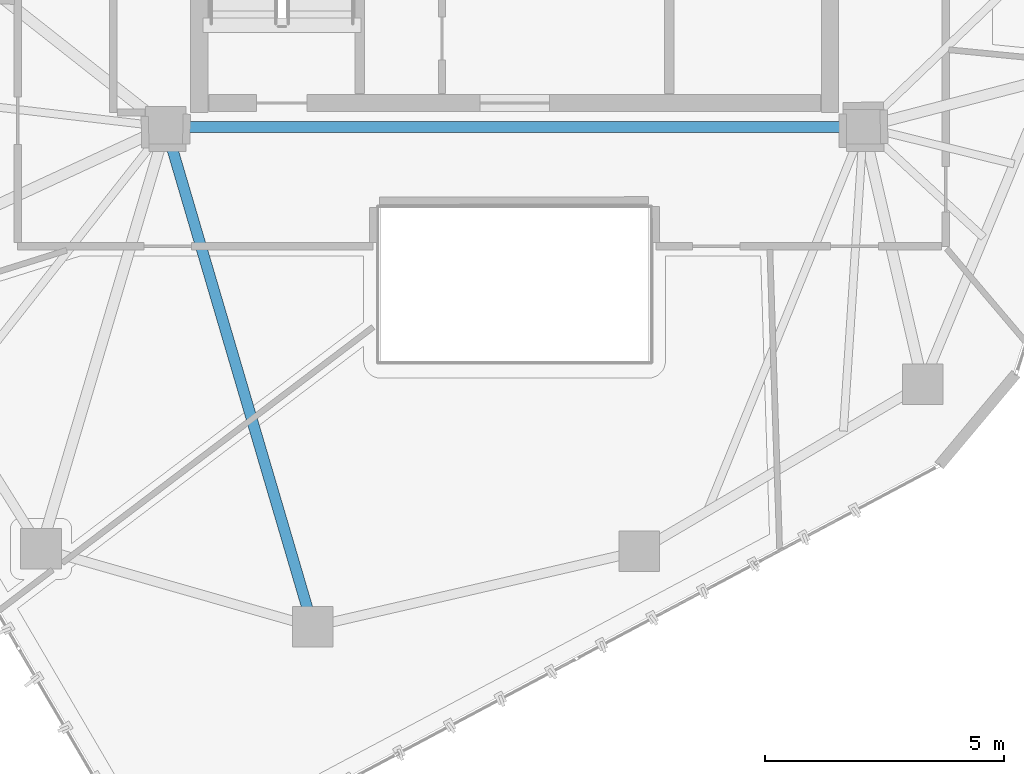
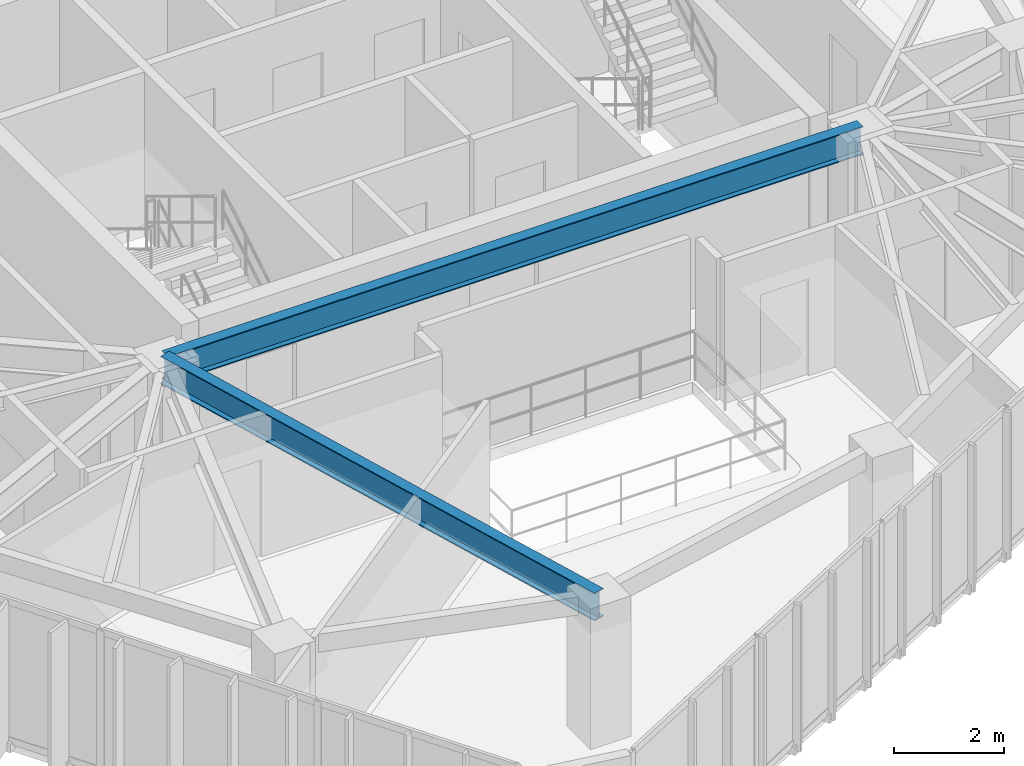
# One storey, part 5 of 20: 2 beams.
"""IFC4 building model written with IfcOpenShell, lengths in metres."""

from ifc_helpers import new_model, si_unit, direction, frame, origin, origin_2d, place, context, subcontext, project, spatial, i_section, extrude, material, material_profile, profile_set, type_object, element, save


model = new_model("IFC4")

# Units and contexts
model_context = context("Model", 3, precision=1e-05, world=origin(), true_north=direction((0.0, 1.0)))
body_context = subcontext(model_context, "Body", "Model", "MODEL_VIEW")
ifc_project = project(units=[si_unit("LENGTHUNIT", "METRE"), si_unit("AREAUNIT", "SQUARE_METRE"), si_unit("VOLUMEUNIT", "CUBIC_METRE"), si_unit("PLANEANGLEUNIT", "RADIAN"), si_unit("MASSUNIT", "GRAM", prefix="KILO")], contexts=[model_context])

# Site, building, storey
site_placement = place(None, origin())
site = spatial("IfcSite", under=ifc_project, at=site_placement, CompositionType="ELEMENT")
building_placement = place(site_placement, origin())
building = spatial("IfcBuilding", under=site, at=building_placement, Name="Talar Marvaseh", CompositionType="ELEMENT")
storey_placement = place(building_placement, frame((0.0, 0.0, 261.199951171875)))
storey = spatial("IfcBuildingStorey", under=building, at=storey_placement, Name="L69", CompositionType="ELEMENT", Elevation=261.199951171875)

# Beams
ifc_material = material(Name="Steel S355", Category="steel")
ifc_material_profile = material_profile(ifc_material, i_section(OverallWidth=0.22998046875, OverallDepth=0.616943359375, WebThickness=0.01318359375, FlangeThickness=0.022216796875, at=origin_2d()), Name="W610x140")
ifc_profile_set = profile_set([ifc_material_profile], Name="Steel S355")
beam_type = type_object("IfcBeamType", Name="Zone 4 Radial Floor Girder W610x140", PredefinedType="BEAM", material=ifc_profile_set)
beam_1_placement = place(storey_placement, frame((18.699951171875, 25.5, 2.83154296875), z_axis=(1.0, 0.0, 0.0), x_axis=(0.0, 1.0, 0.0)))
element("IfcBeam", 1, at=beam_1_placement, inside=storey, type_object=beam_type, Name="L69 Zone 4 Radial Floor Girder W610x140", PredefinedType="BEAM", context=body_context, shape_type="SweptSolid", body=[
    extrude(i_section(OverallWidth=0.22998046875, OverallDepth=0.616943359375, WebThickness=0.01318359375, FlangeThickness=0.022216796875, at=origin_2d()), origin(), (0.0, 0.0, 1.0), 14.60009765625),
])
beam_2_placement = place(storey_placement, frame((21.77587890625, 15.0400390625, 2.83154296875), z_axis=(-0.28212146763, 0.959378693479, 0.0), x_axis=(-0.959378693479, -0.28212146763, 0.0)))
element("IfcBeam", 2, at=beam_2_placement, inside=storey, type_object=beam_type, Name="L69 Zone 4 Radial Floor Girder W610x140", PredefinedType="BEAM", context=body_context, shape_type="SweptSolid", body=[
    extrude(i_section(OverallWidth=0.22998046875, OverallDepth=0.616943359375, WebThickness=0.01318359375, FlangeThickness=0.022216796875, at=origin_2d()), origin(), (0.0, 0.0, 1.0), 10.90283203125),
])

save(model, "model.ifc")
